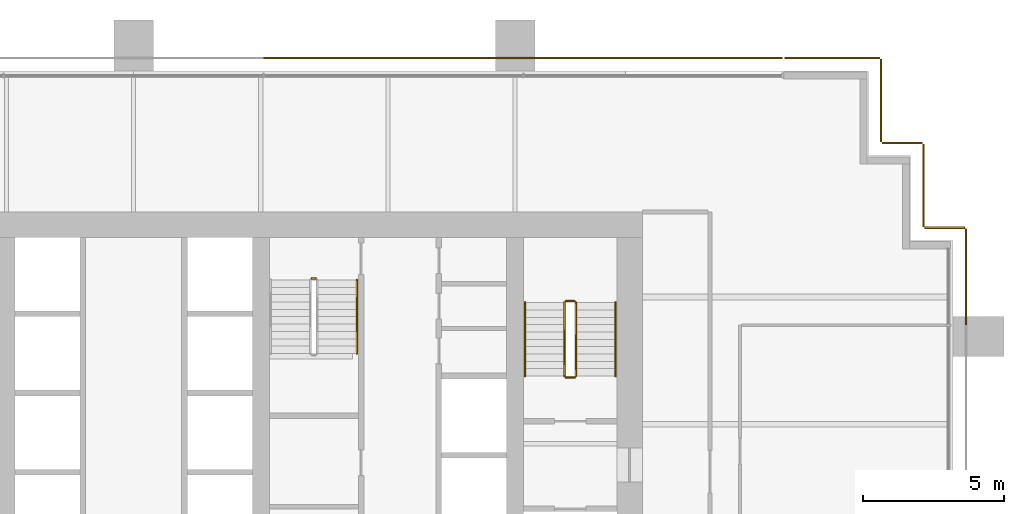
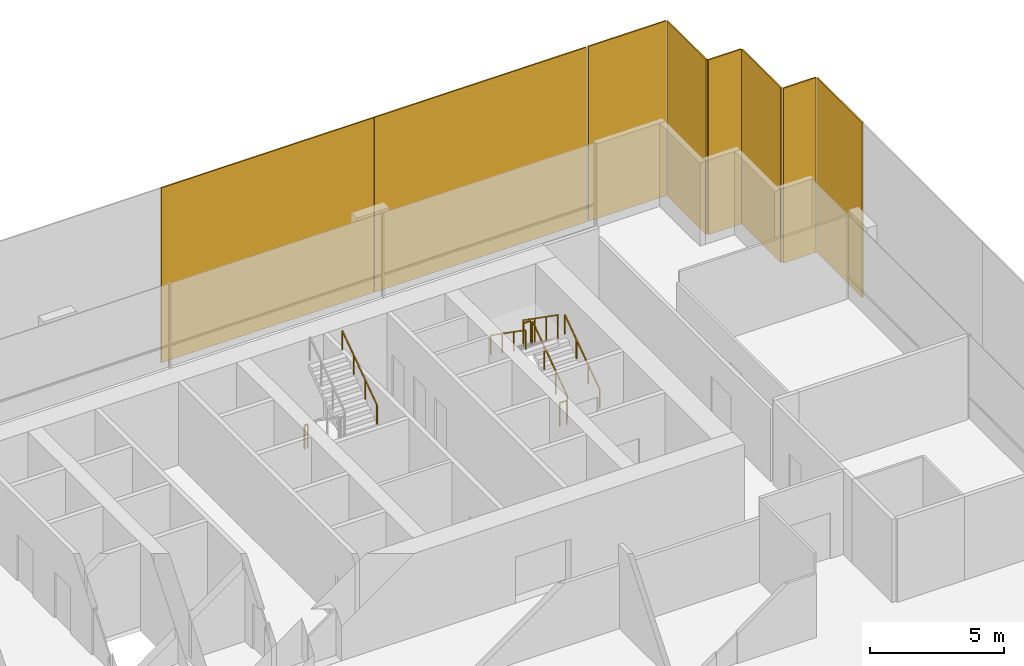
# One storey, part 16 of 16: 8 coverings, 8 railings.
"""IFC4 building model written with IfcOpenShell, lengths in metres."""

import ifcopenshell
import ifcopenshell.guid

model = None  # the IFC model being written
_history = None  # IfcOwnerHistory: only IFC2X3 demands one
_inside = {}  # id of a spatial element -> (the spatial element, [elements in it])
_under = {}  # id of a project, library or spatial element -> (it, [spatial elements below it])
_declared = {}  # id of a project -> (the project, [libraries it declares])
_typed = {}  # id of a type object -> (the type object, [elements of that type])
_made_of = {}  # id of a material, layer set ... -> (it, [elements and type objects made of it])


def new_model(schema):
    """Start an empty IFC model of exactly this schema.

    Asked for "IFC4X3", IfcOpenShell would pick the latest addendum, in which some entities
    have other attributes; the version numbers below select the first issue.
    IFC2X3 requires an IfcOwnerHistory on every rooted entity: one is made here for all.
    """
    global model, _history
    if schema == "IFC4X3":
        model = ifcopenshell.file(schema_version=(4, 3, 0, 0))
    else:
        model = ifcopenshell.file(schema=schema)
    _inside.clear()
    _under.clear()
    _declared.clear()
    _typed.clear()
    _made_of.clear()
    _history = None
    if model.schema == "IFC2X3":
        org = make("IfcOrganization", Name="unknown")
        user = make(
            "IfcPersonAndOrganization",
            ThePerson=make("IfcPerson", FamilyName="unknown"),
            TheOrganization=org,
        )
        app = make(
            "IfcApplication",
            ApplicationDeveloper=org,
            Version="unknown",
            ApplicationFullName="unknown",
            ApplicationIdentifier="unknown",
        )
        _history = make(
            "IfcOwnerHistory",
            OwningUser=user,
            OwningApplication=app,
            ChangeAction="ADDED",
            CreationDate=0,
        )
    return model


def make(cls, **values):
    """One entity of the class cls with the attributes given. An attribute that is None is left unset."""
    return model.create_entity(
        cls, **{name: value for name, value in values.items() if value is not None}
    )


def rooted(cls, **values):
    """An entity with a GlobalId (a new one), such as an element, a storey or a relation."""
    return make(cls, GlobalId=ifcopenshell.guid.new(), OwnerHistory=_history, **values)


def si_unit(unit_type, name, prefix=None):
    """IfcSIUnit, for example si_unit("LENGTHUNIT", "METRE", prefix="MILLI")."""
    return make("IfcSIUnit", UnitType=unit_type, Prefix=prefix, Name=name)


def assignment(units):
    """IfcUnitAssignment: the units of a project."""
    return None if units is None else make("IfcUnitAssignment", Units=units)


def point(xyz):
    """IfcCartesianPoint."""
    return None if xyz is None else make("IfcCartesianPoint", Coordinates=xyz)


def direction(xyz):
    """IfcDirection."""
    return None if xyz is None else make("IfcDirection", DirectionRatios=xyz)


def frame(location, z_axis=None, x_axis=None):
    """IfcAxis2Placement3D, a coordinate frame: its origin and axes. An axis left out is left unset."""
    return make(
        "IfcAxis2Placement3D",
        Location=point(location),
        Axis=direction(z_axis),
        RefDirection=direction(x_axis),
    )


def frame_2d(location, x_axis=None):
    """IfcAxis2Placement2D, a coordinate frame in the plane: its origin and x axis."""
    return make(
        "IfcAxis2Placement2D", Location=point(location), RefDirection=direction(x_axis)
    )


def origin():
    """The frame at (0, 0, 0) with its axes left unset."""
    return frame((0.0, 0.0, 0.0))


def origin_2d():
    """The frame at (0, 0) in the plane with its x axis left unset."""
    return frame_2d((0.0, 0.0))


def place(relative_to, where):
    """IfcLocalPlacement: puts the frame where relative to a parent placement (None: the world)."""
    return make(
        "IfcLocalPlacement", PlacementRelTo=relative_to, RelativePlacement=where
    )


def context(
    kind, dimensions, precision=None, world=None, true_north=None, identifier=None
):
    """IfcGeometricRepresentationContext, for example the 3D "Model" context."""
    return make(
        "IfcGeometricRepresentationContext",
        ContextIdentifier=identifier,
        ContextType=kind,
        CoordinateSpaceDimension=dimensions,
        Precision=precision,
        WorldCoordinateSystem=world,
        TrueNorth=true_north,
    )


def subcontext(parent, identifier, kind, view, scale=None):
    """IfcGeometricRepresentationSubContext, for example "Body" below "Model"."""
    return make(
        "IfcGeometricRepresentationSubContext",
        ContextIdentifier=identifier,
        ContextType=kind,
        ParentContext=parent,
        TargetScale=scale,
        TargetView=view,
    )


def project(units=None, contexts=None):
    """IfcProject with its units and contexts."""
    return rooted(
        "IfcProject",
        Name="project",
        RepresentationContexts=contexts,
        UnitsInContext=assignment(units),
    )


def spatial(cls, under=None, at=None, **own):
    """A site, building, storey or space (cls), placed at a placement, below another one or the project."""
    s = rooted(cls, ObjectPlacement=at, **own)
    if under is not None:
        _under.setdefault(under.id(), (under, []))[1].append(s)
    return s


def profile(cls, at=None, kind="AREA", **sizes):
    """A parametric profile (cls). Its sizes go by their IFC names, for example OverallWidth=200.0."""
    return make(cls, ProfileType=kind, Position=at, **sizes)


def rectangle(**sizes):
    """IfcRectangleProfileDef."""
    return profile("IfcRectangleProfileDef", **sizes)


def extrude(swept, where, along, depth):
    """IfcExtrudedAreaSolid: the profile swept, set in the frame where, extruded along a direction by depth."""
    return make(
        "IfcExtrudedAreaSolid",
        SweptArea=swept,
        Position=where,
        ExtrudedDirection=direction(along),
        Depth=depth,
    )


def shape(context_of_items, identifier, shape_type, items):
    """IfcShapeRepresentation: the items that make up one representation, for example the "Body"."""
    return make(
        "IfcShapeRepresentation",
        ContextOfItems=context_of_items,
        RepresentationIdentifier=identifier,
        RepresentationType=shape_type,
        Items=items,
    )


def material(Name=None, Category=None):
    """IfcMaterial."""
    return make("IfcMaterial", Name=Name, Category=Category)


def layer(
    of_material, thickness, ventilated=None, Name=None, Category=None, Priority=None
):
    """IfcMaterialLayer: one layer of a wall or slab, of a material (None: an air gap)."""
    return make(
        "IfcMaterialLayer",
        Material=of_material,
        LayerThickness=thickness,
        IsVentilated=ventilated,
        Name=Name,
        Category=Category,
        Priority=Priority,
    )


def layer_set(layers, Name=None):
    """IfcMaterialLayerSet."""
    return make("IfcMaterialLayerSet", MaterialLayers=layers, LayerSetName=Name)


def made_of(thing, what):
    """Note that an element or type object is made of a material, layer set ...; save() writes the relation."""
    if what is not None:
        _made_of.setdefault(what.id(), (what, []))[1].append(thing)
    return thing


def type_object(cls, material=None, **own):
    """A type object (cls), such as IfcWallType, which elements share."""
    return made_of(rooted(cls, **own), material)


def element(
    cls,
    number,
    at=None,
    inside=None,
    cuts=None,
    type_object=None,
    material=None,
    context=None,
    identifier="Body",
    shape_type=None,
    held_by="IfcProductDefinitionShape",
    body=None,
    shapes=None,
    **own,
):
    """One element of the class cls, such as IfcWall. Its Tag is "e" and its number.

    at: its placement. inside: the storey or other place that contains it. cuts: it is an
    opening in that element (IfcRelVoidsElement). A single representation is given by context,
    identifier, shape_type and body (its items); several are given by shapes. held_by: the class
    of the entity that holds the representations. save() writes the other relations.
    """
    e = rooted(cls, Tag="e%d" % number, ObjectPlacement=at, **own)
    if body is not None:
        shapes = [shape(context, identifier, shape_type, body)]
    if shapes is not None:
        e.Representation = make(held_by, Representations=shapes)
    if inside is not None:
        _inside.setdefault(inside.id(), (inside, []))[1].append(e)
    if cuts is not None:
        rooted(
            "IfcRelVoidsElement", RelatingBuildingElement=cuts, RelatedOpeningElement=e
        )
    if type_object is not None:
        _typed.setdefault(type_object.id(), (type_object, []))[1].append(e)
    return made_of(e, material)


def aggregate(whole, parts):
    """IfcRelAggregates: a whole, such as a stair, and the parts it consists of."""
    return rooted("IfcRelAggregates", RelatingObject=whole, RelatedObjects=parts)


def save(model, path):
    """Write the relations noted so far, then the file.

    IfcRelAggregates (storeys below a building ...), IfcRelContainedInSpatialStructure (elements
    in a storey), IfcRelDefinesByType, IfcRelAssociatesMaterial and IfcRelDeclares: one each for
    every whole, place, type object, material and project.
    """
    for whole, parts in _under.values():
        aggregate(whole, parts)
    for where, things in _inside.values():
        rooted(
            "IfcRelContainedInSpatialStructure",
            RelatedElements=things,
            RelatingStructure=where,
        )
    for kind, things in _typed.values():
        rooted("IfcRelDefinesByType", RelatedObjects=things, RelatingType=kind)
    for what, things in _made_of.values():
        rooted("IfcRelAssociatesMaterial", RelatedObjects=things, RelatingMaterial=what)
    for by, libraries in _declared.values():
        rooted("IfcRelDeclares", RelatingContext=by, RelatedDefinitions=libraries)
    model.write(path)


model = new_model("IFC4")

# Units and contexts
model_context = context("Model", 3, precision=1e-05, world=origin(), true_north=direction((0.0, 1.0)))
body_context = subcontext(model_context, "Body", "Model", "MODEL_VIEW")
ifc_project = project(units=[si_unit("LENGTHUNIT", "METRE"), si_unit("AREAUNIT", "SQUARE_METRE"), si_unit("VOLUMEUNIT", "CUBIC_METRE"), si_unit("PLANEANGLEUNIT", "RADIAN"), si_unit("MASSUNIT", "GRAM", prefix="KILO")], contexts=[model_context])

# Site, building, storey
site_placement = place(None, origin())
site = spatial("IfcSite", under=ifc_project, at=site_placement, CompositionType="ELEMENT")
building_placement = place(site_placement, origin())
building = spatial("IfcBuilding", under=site, at=building_placement, Name="Rattan Terrace Tower", CompositionType="ELEMENT")
storey_placement = place(building_placement, frame((0.0, 0.0, 150.10009765625)))
storey = spatial("IfcBuildingStorey", under=building, at=storey_placement, Name="L34", CompositionType="ELEMENT", Elevation=150.10009765625)

# Railings
ifc_material_1 = material(Name="Powder-coated steel guard", Category="steel")
railing_type_1 = type_object("IfcRailingType", Name="Core stair guard", PredefinedType="GUARDRAIL", material=ifc_material_1)
railing_1_placement = place(storey_placement, frame((15.64990234375, 1.699951171875, 0.181640625)))
element("IfcRailing", 1, at=railing_1_placement, inside=storey, type_object=railing_type_1, Name="L34 S2 stair guard 1", PredefinedType="GUARDRAIL", context=body_context, shape_type="SweptSolid", body=[
    extrude(rectangle(XDim=0.048095703125, YDim=0.048095703125, at=origin_2d()), frame((0.0, 0.0, 1.076171875), z_axis=(0.0, 0.819484887739, 0.573100792852), x_axis=(-1.0, 0.0, 0.0)), (0.0, 0.0, 1.0), 3.1728515625),
    extrude(rectangle(XDim=0.0419921875, YDim=0.0419921875, at=origin_2d()), origin(), (0.0, 0.0, 1.0), 1.052001953125),
    extrude(rectangle(XDim=0.0419921875, YDim=0.0419921875, at=origin_2d()), frame((0.0, 0.86669921875, 0.606201171875)), (0.0, 0.0, 1.0), 1.052001953125),
    extrude(rectangle(XDim=0.0419921875, YDim=0.0419921875, at=origin_2d()), frame((0.0, 1.7333984375, 1.212158203125)), (0.0, 0.0, 1.0), 1.052001953125),
    extrude(rectangle(XDim=0.0419921875, YDim=0.0419921875, at=origin_2d()), frame((0.0, 2.60009765625, 1.818359375)), (0.0, 0.0, 1.0), 1.052001953125),
])
railing_2_placement = place(storey_placement, frame((15.60009765625, 4.35009765625, 2.0)))
element("IfcRailing", 2, at=railing_2_placement, inside=storey, type_object=railing_type_1, Name="L34 S2 stair guard 2", PredefinedType="GUARDRAIL", context=body_context, shape_type="SweptSolid", body=[
    extrude(rectangle(XDim=0.048095703125, YDim=0.048095703125, at=origin_2d()), frame((0.0, 0.0, 1.076171875), z_axis=(-1.0, 0.0, 0.0), x_axis=(0.0, -1.0, 0.0)), (0.0, 0.0, 1.0), 0.300048828125),
    extrude(rectangle(XDim=0.0419921875, YDim=0.0419921875, at=origin_2d()), origin(), (0.0, 0.0, 1.0), 1.052001953125),
    extrude(rectangle(XDim=0.0419921875, YDim=0.0419921875, at=origin_2d()), frame((-0.300048828125, 0.0, 0.0)), (0.0, 0.0, 1.0), 1.052001953125),
])
railing_3_placement = place(storey_placement, frame((15.25, 4.300048828125, 2.181640625)))
element("IfcRailing", 3, at=railing_3_placement, inside=storey, type_object=railing_type_1, Name="L34 S2 stair guard 3", PredefinedType="GUARDRAIL", context=body_context, shape_type="SweptSolid", body=[
    extrude(rectangle(XDim=0.048095703125, YDim=0.048095703125, at=origin_2d()), frame((0.0, 0.0, 1.076171875), z_axis=(0.0, -0.819484887739, 0.573100792852), x_axis=(1.0, 0.0, 0.0)), (0.0, 0.0, 1.0), 3.1728515625),
    extrude(rectangle(XDim=0.0419921875, YDim=0.0419921875, at=origin_2d()), origin(), (0.0, 0.0, 1.0), 1.052001953125),
    extrude(rectangle(XDim=0.0419921875, YDim=0.0419921875, at=origin_2d()), frame((0.0, -0.86669921875, 0.606201171875)), (0.0, 0.0, 1.0), 1.052001953125),
    extrude(rectangle(XDim=0.0419921875, YDim=0.0419921875, at=origin_2d()), frame((0.0, -1.7333984375, 1.212158203125)), (0.0, 0.0, 1.0), 1.052001953125),
    extrude(rectangle(XDim=0.0419921875, YDim=0.0419921875, at=origin_2d()), frame((0.0, -2.60009765625, 1.818359375)), (0.0, 0.0, 1.0), 1.052001953125),
])
railing_4_placement = place(storey_placement, frame((15.60009765625, 1.64990234375, 0.0)))
element("IfcRailing", 4, at=railing_4_placement, inside=storey, type_object=railing_type_1, Name="L34 S2 stair guard 4", PredefinedType="GUARDRAIL", context=body_context, shape_type="SweptSolid", body=[
    extrude(rectangle(XDim=0.048095703125, YDim=0.048095703125, at=origin_2d()), frame((0.0, 0.0, 1.076171875), z_axis=(-1.0, 0.0, 0.0), x_axis=(0.0, -1.0, 0.0)), (0.0, 0.0, 1.0), 0.300048828125),
    extrude(rectangle(XDim=0.0419921875, YDim=0.0419921875, at=origin_2d()), origin(), (0.0, 0.0, 1.0), 1.052001953125),
    extrude(rectangle(XDim=0.0419921875, YDim=0.0419921875, at=origin_2d()), frame((-0.300048828125, 0.0, 0.0)), (0.0, 0.0, 1.0), 1.052001953125),
])
railing_5_placement = place(storey_placement, frame((6.300048828125, 5.14990234375, 0.0)))
element("IfcRailing", 5, at=railing_5_placement, inside=storey, type_object=railing_type_1, Name="L34 S3 stair guard 4", PredefinedType="GUARDRAIL", context=body_context, shape_type="SweptSolid", body=[
    extrude(rectangle(XDim=0.048095703125, YDim=0.048095703125, at=origin_2d()), frame((0.0, 0.0, 1.076171875), z_axis=(1.0, 0.0, 0.0), x_axis=(0.0, 1.0, 0.0)), (0.0, 0.0, 1.0), 0.14990234375),
    extrude(rectangle(XDim=0.0419921875, YDim=0.0419921875, at=origin_2d()), origin(), (0.0, 0.0, 1.0), 1.052001953125),
    extrude(rectangle(XDim=0.0419921875, YDim=0.0419921875, at=origin_2d()), frame((0.14990234375, 0.0, 0.0)), (0.0, 0.0, 1.0), 1.052001953125),
])
ifc_material_2 = material(Name="Powder-coated steel handrail", Category="steel")
railing_type_2 = type_object("IfcRailingType", Name="Core stair handrail", PredefinedType="HANDRAIL", material=ifc_material_2)
railing_6_placement = place(storey_placement, frame((17.050048828125, 1.699951171875, 0.181640625)))
element("IfcRailing", 6, at=railing_6_placement, inside=storey, type_object=railing_type_2, Name="L34 S2 stair handrail 1", PredefinedType="HANDRAIL", context=body_context, shape_type="SweptSolid", body=[
    extrude(rectangle(XDim=0.048095703125, YDim=0.048095703125, at=origin_2d()), frame((0.0, 0.0, 0.8759765625), z_axis=(0.0, 0.819484887739, 0.573100792852), x_axis=(-1.0, 0.0, 0.0)), (0.0, 0.0, 1.0), 3.1728515625),
    extrude(rectangle(XDim=0.0419921875, YDim=0.0419921875, at=origin_2d()), origin(), (0.0, 0.0, 1.0), 0.851806640625),
    extrude(rectangle(XDim=0.0419921875, YDim=0.0419921875, at=origin_2d()), frame((0.0, 0.86669921875, 0.606201171875)), (0.0, 0.0, 1.0), 0.851806640625),
    extrude(rectangle(XDim=0.0419921875, YDim=0.0419921875, at=origin_2d()), frame((0.0, 1.7333984375, 1.212158203125)), (0.0, 0.0, 1.0), 0.851806640625),
    extrude(rectangle(XDim=0.0419921875, YDim=0.0419921875, at=origin_2d()), frame((0.0, 2.60009765625, 1.818359375)), (0.0, 0.0, 1.0), 0.851806640625),
])
railing_7_placement = place(storey_placement, frame((13.85009765625, 4.300048828125, 2.181640625)))
element("IfcRailing", 7, at=railing_7_placement, inside=storey, type_object=railing_type_2, Name="L34 S2 stair handrail 2", PredefinedType="HANDRAIL", context=body_context, shape_type="SweptSolid", body=[
    extrude(rectangle(XDim=0.048095703125, YDim=0.048095703125, at=origin_2d()), frame((0.0, 0.0, 0.8759765625), z_axis=(0.0, -0.819484887739, 0.573100792852), x_axis=(1.0, 0.0, 0.0)), (0.0, 0.0, 1.0), 3.1728515625),
    extrude(rectangle(XDim=0.0419921875, YDim=0.0419921875, at=origin_2d()), origin(), (0.0, 0.0, 1.0), 0.851806640625),
    extrude(rectangle(XDim=0.0419921875, YDim=0.0419921875, at=origin_2d()), frame((0.0, -0.86669921875, 0.606201171875)), (0.0, 0.0, 1.0), 0.851806640625),
    extrude(rectangle(XDim=0.0419921875, YDim=0.0419921875, at=origin_2d()), frame((0.0, -1.7333984375, 1.212158203125)), (0.0, 0.0, 1.0), 0.851806640625),
    extrude(rectangle(XDim=0.0419921875, YDim=0.0419921875, at=origin_2d()), frame((0.0, -2.60009765625, 1.818359375)), (0.0, 0.0, 1.0), 0.851806640625),
])
railing_8_placement = place(storey_placement, frame((7.89990234375, 2.5, 2.181640625)))
element("IfcRailing", 8, at=railing_8_placement, inside=storey, type_object=railing_type_2, Name="L34 S3 stair handrail 2", PredefinedType="HANDRAIL", context=body_context, shape_type="SweptSolid", body=[
    extrude(rectangle(XDim=0.048095703125, YDim=0.048095703125, at=origin_2d()), frame((0.0, 0.0, 0.8759765625), z_axis=(0.0, 0.819484887739, 0.573100792852), x_axis=(-1.0, 0.0, 0.0)), (0.0, 0.0, 1.0), 3.1728515625),
    extrude(rectangle(XDim=0.0419921875, YDim=0.0419921875, at=origin_2d()), origin(), (0.0, 0.0, 1.0), 0.851806640625),
    extrude(rectangle(XDim=0.0419921875, YDim=0.0419921875, at=origin_2d()), frame((0.0, 0.86669921875, 0.606201171875)), (0.0, 0.0, 1.0), 0.851806640625),
    extrude(rectangle(XDim=0.0419921875, YDim=0.0419921875, at=origin_2d()), frame((0.0, 1.7333984375, 1.212158203125)), (0.0, 0.0, 1.0), 0.851806640625),
    extrude(rectangle(XDim=0.0419921875, YDim=0.0419921875, at=origin_2d()), frame((0.0, 2.60009765625, 1.818359375)), (0.0, 0.0, 1.0), 0.851806640625),
])

# Coverings
ifc_material_3 = material(Name="Perforated terracotta", Category="masonry")
ifc_layer = layer(ifc_material_3, 0.06005859375)
ifc_layer_set = layer_set([ifc_layer], Name="Facade Terracotta Screen Panel")
covering_type = type_object("IfcCoveringType", Name="Facade Terracotta Screen Panel", PredefinedType="CLADDING", material=ifc_layer_set)
covering_1_placement = place(storey_placement, frame((29.449951171875, 5.2099609375, -0.190185546875), z_axis=(0.0, 0.0, 1.0), x_axis=(0.0, 1.0, 0.0)))
element("IfcCovering", 9, at=covering_1_placement, inside=storey, type_object=covering_type, Name="OUTER SKIN panel L34-9", PredefinedType="CLADDING", context=body_context, shape_type="SweptSolid", body=[
    extrude(rectangle(XDim=3.39990234375, YDim=0.06005859375, at=origin_2d()), origin(), (0.0, 0.0, 1.0), 7.97998046875),
])
covering_2_placement = place(storey_placement, frame((28.699951171875, 6.949951171875, -0.190185546875), z_axis=(0.0, 0.0, 1.0), x_axis=(-1.0, 0.0, 0.0)))
element("IfcCovering", 10, at=covering_2_placement, inside=storey, type_object=covering_type, Name="OUTER SKIN panel L34-10", PredefinedType="CLADDING", context=body_context, shape_type="SweptSolid", body=[
    extrude(rectangle(XDim=1.419921875, YDim=0.06005859375, at=origin_2d()), origin(), (0.0, 0.0, 1.0), 7.97998046875),
])
covering_3_placement = place(storey_placement, frame((27.949951171875, 8.449951171875, -0.190185546875), z_axis=(0.0, 0.0, 1.0), x_axis=(0.0, 1.0, 0.0)))
element("IfcCovering", 11, at=covering_3_placement, inside=storey, type_object=covering_type, Name="OUTER SKIN panel L34-11", PredefinedType="CLADDING", context=body_context, shape_type="SweptSolid", body=[
    extrude(rectangle(XDim=2.919921875, YDim=0.06005859375, at=origin_2d()), origin(), (0.0, 0.0, 1.0), 7.97998046875),
])
covering_4_placement = place(storey_placement, frame((27.199951171875, 9.949951171875, -0.190185546875), z_axis=(0.0, 0.0, 1.0), x_axis=(-1.0, 0.0, 0.0)))
element("IfcCovering", 12, at=covering_4_placement, inside=storey, type_object=covering_type, Name="OUTER SKIN panel L34-12", PredefinedType="CLADDING", context=body_context, shape_type="SweptSolid", body=[
    extrude(rectangle(XDim=1.419921875, YDim=0.06005859375, at=origin_2d()), origin(), (0.0, 0.0, 1.0), 7.97998046875),
])
covering_5_placement = place(storey_placement, frame((26.449951171875, 11.449951171875, -0.190185546875), z_axis=(0.0, 0.0, 1.0), x_axis=(0.0, 1.0, 0.0)))
element("IfcCovering", 13, at=covering_5_placement, inside=storey, type_object=covering_type, Name="OUTER SKIN panel L34-13", PredefinedType="CLADDING", context=body_context, shape_type="SweptSolid", body=[
    extrude(rectangle(XDim=2.919921875, YDim=0.06005859375, at=origin_2d()), origin(), (0.0, 0.0, 1.0), 7.97998046875),
])
covering_6_placement = place(storey_placement, frame((24.72509765625, 12.949951171875, -0.190185546875), z_axis=(0.0, 0.0, 1.0), x_axis=(-1.0, 0.0, 0.0)))
element("IfcCovering", 14, at=covering_6_placement, inside=storey, type_object=covering_type, Name="OUTER SKIN panel L34-14", PredefinedType="CLADDING", context=body_context, shape_type="SweptSolid", body=[
    extrude(rectangle(XDim=3.3701171875, YDim=0.06005859375, at=origin_2d()), origin(), (0.0, 0.0, 1.0), 7.97998046875),
])
covering_7_placement = place(storey_placement, frame((18.384521484375, 12.949951171875, -0.190185546875), z_axis=(0.0, 0.0, 1.0), x_axis=(-1.0, 0.0, 0.0)))
element("IfcCovering", 15, at=covering_7_placement, inside=storey, type_object=covering_type, Name="OUTER SKIN panel L34-15", PredefinedType="CLADDING", context=body_context, shape_type="SweptSolid", body=[
    extrude(rectangle(XDim=9.15087890625, YDim=0.06005859375, at=origin_2d()), origin(), (0.0, 0.0, 1.0), 7.97998046875),
])
covering_8_placement = place(storey_placement, frame((9.198486328125, 12.949951171875, -0.190185546875), z_axis=(0.0, 0.0, 1.0), x_axis=(-1.0, 0.0, 0.0)))
element("IfcCovering", 16, at=covering_8_placement, inside=storey, type_object=covering_type, Name="OUTER SKIN panel L34-16", PredefinedType="CLADDING", context=body_context, shape_type="SweptSolid", body=[
    extrude(rectangle(XDim=9.180908203125, YDim=0.06005859375, at=origin_2d()), origin(), (0.0, 0.0, 1.0), 7.97998046875),
])

save(model, "model.ifc")
